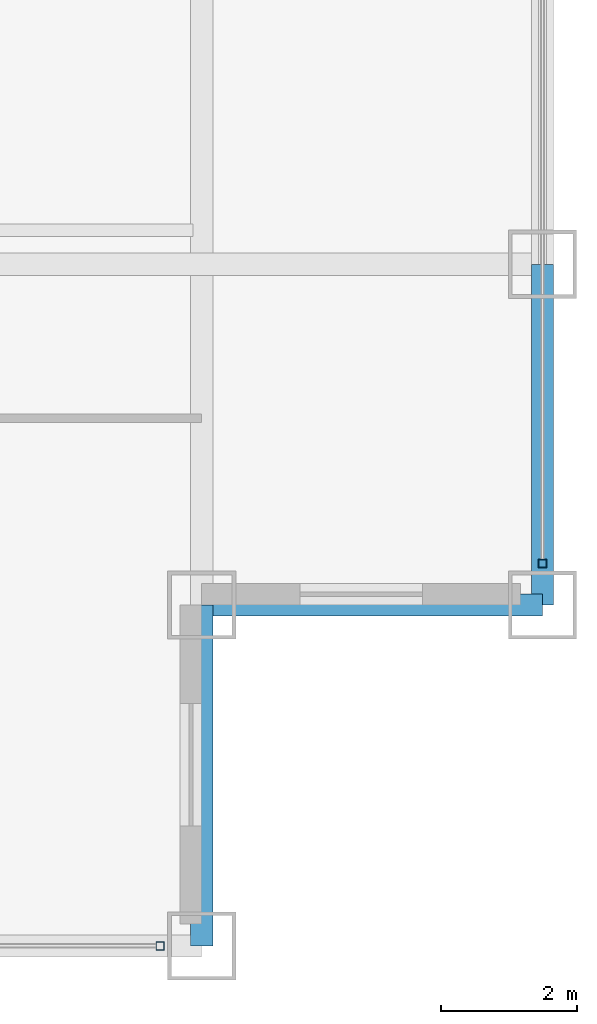
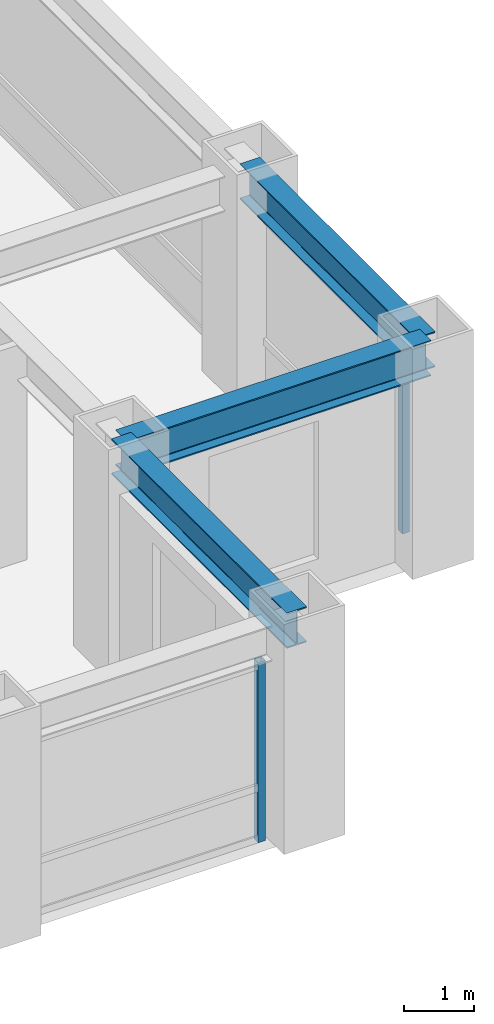
# One storey, part 8 of 24: 3 beams, 2 members, 2 elements without a shape of their own.
"""IFC4 building model written with IfcOpenShell, lengths in metres."""

from ifc_helpers import new_model, si_unit, direction, frame, origin, origin_2d, place, context, subcontext, project, spatial, hollow_rectangle, i_section, extrude, source, transform, mapped, material, material_profile, profile_set, type_object, element, aggregate, save


model = new_model("IFC4")

# Units and contexts
model_context = context("Model", 3, precision=1e-05, world=origin(), true_north=direction((0.0, 1.0)))
body_context = subcontext(model_context, "Body", "Model", "MODEL_VIEW")
ifc_project = project(units=[si_unit("LENGTHUNIT", "METRE"), si_unit("AREAUNIT", "SQUARE_METRE"), si_unit("VOLUMEUNIT", "CUBIC_METRE"), si_unit("PLANEANGLEUNIT", "RADIAN"), si_unit("MASSUNIT", "GRAM", prefix="KILO")], contexts=[model_context])

# Site, building, storey
site_placement = place(None, origin())
site = spatial("IfcSite", under=ifc_project, at=site_placement, CompositionType="ELEMENT")
building_placement = place(site_placement, origin())
building = spatial("IfcBuilding", under=site, at=building_placement, Name="Khorayat Bourse Tower", CompositionType="ELEMENT")
storey_placement = place(building_placement, frame((0.0, 0.0, 211.10009765625)))
storey = spatial("IfcBuildingStorey", under=building, at=storey_placement, Name="L49", CompositionType="ELEMENT", Elevation=211.10009765625)

# Beams
ifc_material_1 = material(Name="Steel ASTM A992 Grade 50", Category="steel")
ifc_material_profile_1 = material_profile(ifc_material_1, i_section(OverallWidth=0.324951171875, OverallDepth=0.615966796875, WebThickness=0.013916015625, FlangeThickness=0.021484375, FilletRadius=0.01611328125, at=origin_2d()), Name="W610X174")
ifc_profile_set_1 = profile_set([ifc_material_profile_1], Name="Steel ASTM A992 Grade 50")
beam_type = type_object("IfcBeamType", Name="BM-SPAN-610", PredefinedType="SPANDREL", material=ifc_profile_set_1)
shared_shape_1 = source(origin(), body_context, "Body", "SweptSolid", [
    extrude(i_section(OverallWidth=0.324951171875, OverallDepth=0.615966796875, WebThickness=0.013916015625, FlangeThickness=0.021484375, FilletRadius=0.01611328125, at=origin_2d()), origin(), (0.0, 0.0, 1.0), 5.0),
])
for number, where, z_axis, x_axis, name in (
    (1, (25.0, -30.0, 3.471923828125), (0.0, 1.0, 0.0), (-1.0, 0.0, 0.0), "L49 BM-SPAN-610 BM-L49-SPN-032"),
    (2, (25.0, -25.0, 3.471923828125), (1.0, 0.0, 0.0), (0.0, 1.0, 0.0), "L49 BM-SPAN-610 BM-L49-SPN-033"),
    (3, (30.0, -25.0, 3.471923828125), (0.0, 1.0, 0.0), (-1.0, 0.0, 0.0), "L49 BM-SPAN-610 BM-L49-SPN-034"),
):
    element("IfcBeam", number, at=place(storey_placement, frame(where, z_axis=z_axis, x_axis=x_axis)), inside=storey, type_object=beam_type, Name=name, PredefinedType="SPANDREL", context=body_context, shape_type="MappedRepresentation", body=[
        mapped(shared_shape_1, transform((0.0, 0.0, 0.0), scale=1.0)),
    ])

# Curtain wall, member
ifc_material_2 = material(Name="Aluminium EN AW-6063 T6", Category="aluminium")
curtain_wall_type = type_object("IfcCurtainWallType", Name="CW-SYS-03", PredefinedType="NOTDEFINED", material=ifc_material_2)
curtain_wall_1_placement = place(storey_placement, origin())
curtain_wall_1 = element("IfcCurtainWall", 4, at=curtain_wall_1_placement, inside=storey, type_object=curtain_wall_type, Name="L49 Curtain Wall CW-L49-S1", PredefinedType="NOTDEFINED")
ifc_material_profile_2 = material_profile(ifc_material_2, hollow_rectangle(XDim=0.1201171875, YDim=0.1201171875, WallThickness=0.0048828125, at=origin_2d()), Name="ALU 120x120x5")
ifc_profile_set_2 = profile_set([ifc_material_profile_2], Name="Aluminium EN AW-6063 T6")
member_type = type_object("IfcMemberType", Name="CWM-VERT-120", PredefinedType="MULLION", material=ifc_profile_set_2)
shared_shape_2 = source(origin(), body_context, "Body", "SweptSolid", [
    extrude(hollow_rectangle(XDim=0.1201171875, YDim=0.1201171875, WallThickness=0.0048828125, at=origin_2d()), origin(), (0.0, 0.0, 1.0), 3.1298828125),
])
member_1_placement = place(storey_placement, frame((24.389892578125, -30.0, 0.0), z_axis=(0.0, 0.0, 1.0), x_axis=(0.0, 1.0, 0.0)))
member_1 = element("IfcMember", 5, at=member_1_placement, type_object=member_type, Name="CW-L49-S1 Vertical Mullion 3", PredefinedType="MULLION", context=body_context, shape_type="MappedRepresentation", body=[
    mapped(shared_shape_2, transform((0.0, 0.0, 0.0), scale=1.0)),
])
aggregate(curtain_wall_1, [member_1])

curtain_wall_2_placement = place(storey_placement, origin())
curtain_wall_2 = element("IfcCurtainWall", 6, at=curtain_wall_2_placement, inside=storey, type_object=curtain_wall_type, Name="L49 Curtain Wall CW-L49-E1", PredefinedType="NOTDEFINED")
member_2_placement = place(storey_placement, frame((30.0, -24.389892578125, 0.0), z_axis=(0.0, 0.0, 1.0), x_axis=(-1.0, 0.0, 0.0)))
member_2 = element("IfcMember", 7, at=member_2_placement, type_object=member_type, Name="CW-L49-E1 Vertical Mullion 1", PredefinedType="MULLION", context=body_context, shape_type="MappedRepresentation", body=[
    mapped(shared_shape_2, transform((0.0, 0.0, 0.0), scale=1.0)),
])
aggregate(curtain_wall_2, [member_2])

save(model, "model.ifc")
